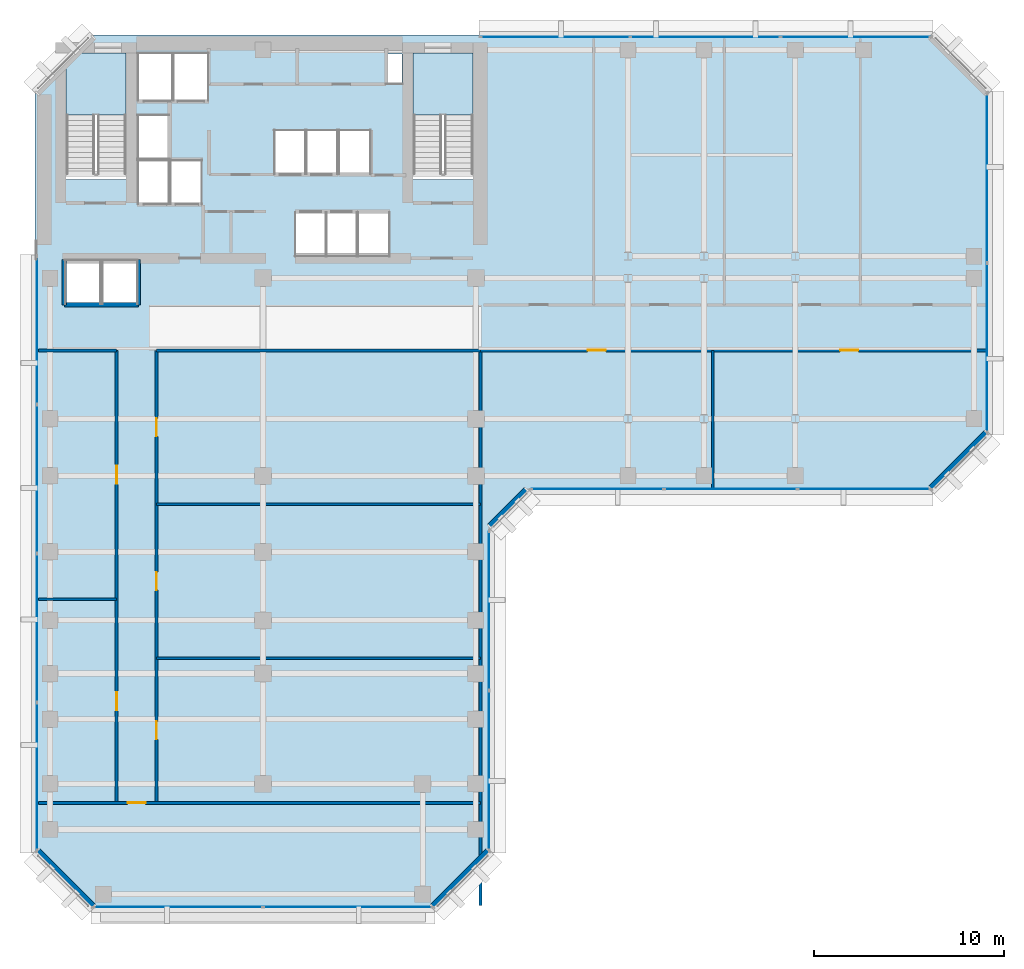
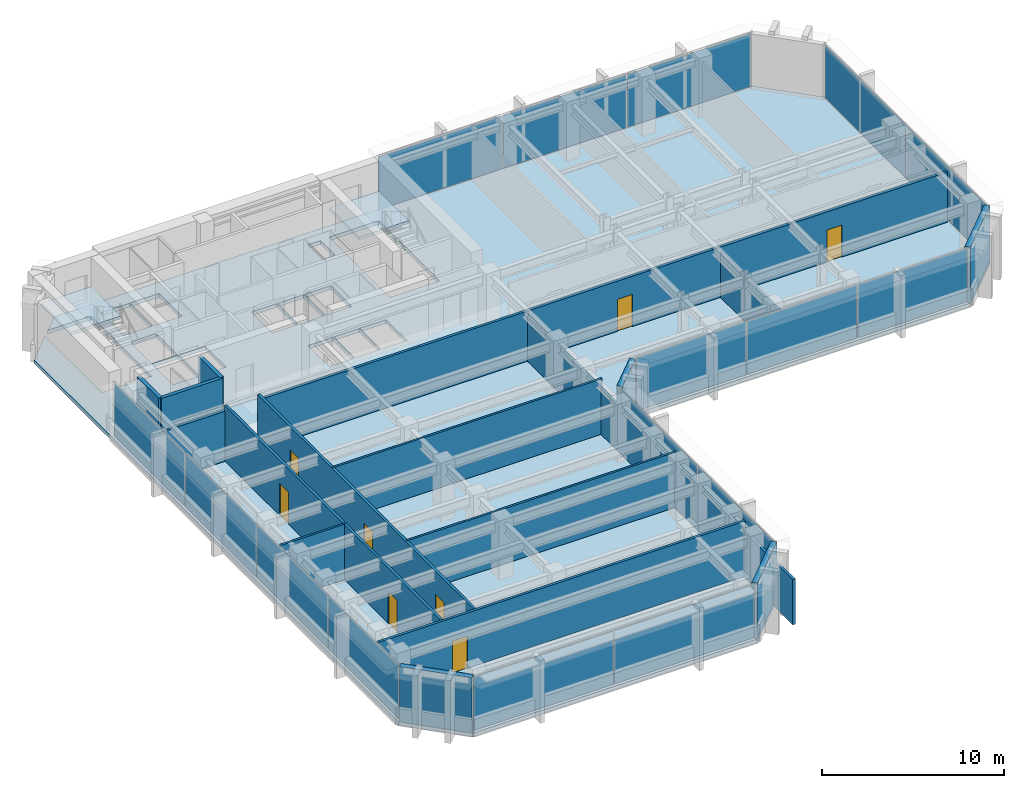
# One storey, part 6 of 11: 18 walls, 16 plates, 8 doors, 3 slabs, 8 openings, 8 elements without a shape of their own.
"""IFC4 building model written with IfcOpenShell, lengths in metres."""

from ifc_helpers import new_model, si_unit, direction, frame, frame_2d, origin, origin_2d, place, context, subcontext, project, spatial, polyline, rectangle, outline, extrude, material, layer, layer_set, type_object, element, fill, aggregate, save


model = new_model("IFC4")

# Units and contexts
model_context = context("Model", 3, precision=1e-05, world=origin(), true_north=direction((0.0, 1.0)))
body_context = subcontext(model_context, "Body", "Model", "MODEL_VIEW")
ifc_project = project(units=[si_unit("LENGTHUNIT", "METRE"), si_unit("AREAUNIT", "SQUARE_METRE"), si_unit("VOLUMEUNIT", "CUBIC_METRE"), si_unit("PLANEANGLEUNIT", "RADIAN"), si_unit("MASSUNIT", "GRAM", prefix="KILO")], contexts=[model_context])

# Site, building, storey
site_placement = place(None, origin())
site = spatial("IfcSite", under=ifc_project, at=site_placement, CompositionType="ELEMENT")
building_placement = place(site_placement, origin())
building = spatial("IfcBuilding", under=site, at=building_placement, Name="Kefirva Bronze Tower", CompositionType="ELEMENT")
storey_placement = place(building_placement, frame((0.0, 0.0, 138.929931640625)))
storey = spatial("IfcBuildingStorey", under=building, at=storey_placement, Name="L33", CompositionType="ELEMENT", Elevation=138.929931640625)

# Stair, slab
ifc_material_1 = material(Name="Concrete C40/50", Category="concrete")
stair_type = type_object("IfcStairType", Name="RC Dogleg Protected Stair 24R", PredefinedType="HALF_TURN_STAIR", material=ifc_material_1)
stair_1_placement = place(storey_placement, origin())
stair_1 = element("IfcStair", 1, at=stair_1_placement, inside=storey, type_object=stair_type, Name="L33 Protected Exit Stair 1", PredefinedType="HALF_TURN_STAIR")
ifc_layer_1 = layer(ifc_material_1, 0.199951171875, Name="Concrete C40/50")
ifc_layer_set_1 = layer_set([ifc_layer_1], Name="Concrete C40/50")
slab_type_1 = type_object("IfcSlabType", Name="RC Stair Landing Slab 200mm", PredefinedType="LANDING", material=ifc_layer_set_1)
slab_1_placement = place(storey_placement, frame((0.0, 0.0, 1.780029296875)))
slab_1 = element("IfcSlab", 2, at=slab_1_placement, type_object=slab_type_1, Name="ST-1 landing 1", PredefinedType="LANDING", context=body_context, shape_type="SweptSolid", body=[
    extrude(outline(polyline([(4.800048828125, 41.780029296875), (4.800048828125, 45.050048828125), (1.64990234375, 45.050048828125), (1.64990234375, 41.780029296875), (4.800048828125, 41.780029296875)])), origin(), (0.0, 0.0, 1.0), 0.199951171875),
])
aggregate(stair_1, [slab_1])

stair_2_placement = place(storey_placement, origin())
stair_2 = element("IfcStair", 3, at=stair_2_placement, inside=storey, type_object=stair_type, Name="L33 Protected Exit Stair 2", PredefinedType="HALF_TURN_STAIR")
slab_2_placement = place(storey_placement, frame((0.0, 0.0, 1.780029296875)))
slab_2 = element("IfcSlab", 4, at=slab_2_placement, type_object=slab_type_1, Name="ST-2 landing 1", PredefinedType="LANDING", context=body_context, shape_type="SweptSolid", body=[
    extrude(outline(polyline([(23.050048828125, 41.780029296875), (23.050048828125, 45.050048828125), (19.89990234375, 45.050048828125), (19.89990234375, 41.780029296875), (23.050048828125, 41.780029296875)])), origin(), (0.0, 0.0, 1.0), 0.199951171875),
])
aggregate(stair_2, [slab_2])

# Slab
ifc_layer_2 = layer(ifc_material_1, 0.25, Name="Concrete C40/50")
ifc_layer_set_2 = layer_set([ifc_layer_2], Name="Concrete C40/50")
slab_type_2 = type_object("IfcSlabType", Name="RC Tower Floor Slab 250mm", PredefinedType="FLOOR", material=ifc_layer_set_2)
slab_3_placement = place(storey_placement, frame((0.0, 0.0, -0.25)))
element("IfcSlab", 5, at=slab_3_placement, inside=storey, type_object=slab_type_2, Name="L33 Structural Floor Slab", PredefinedType="FLOOR", context=body_context, shape_type="SweptSolid", body=[
    extrude(outline(polyline([(0.0, 3.0), (0.0, 43.0), (1.64990234375, 44.64990234375), (1.64990234375, 38.39990234375), (4.800048828125, 38.39990234375), (4.800048828125, 45.050048828125), (2.050048828125, 45.050048828125), (3.0, 46.0), (47.199951171875, 46.0), (50.199951171875, 43.0), (50.199951171875, 25.0), (47.199951171875, 22.0), (26.0, 22.0), (24.0, 20.0), (24.0, 3.0), (21.0, 0.0), (3.0, 0.0), (0.0, 3.0)]), holes=[polyline([(23.050048828125, 38.39990234375), (23.050048828125, 45.050048828125), (19.89990234375, 45.050048828125), (19.89990234375, 38.39990234375), (23.050048828125, 38.39990234375)]), polyline([(19.320068359375, 43.419921875), (19.320068359375, 45.0), (18.52001953125, 45.0), (18.52001953125, 43.419921875), (19.320068359375, 43.419921875)]), polyline([(18.64990234375, 34.35009765625), (18.64990234375, 36.64990234375), (17.0, 36.64990234375), (17.0, 34.35009765625), (18.64990234375, 34.35009765625)]), polyline([(17.64990234375, 38.679931640625), (17.64990234375, 40.97998046875), (16.0, 40.97998046875), (16.0, 38.679931640625), (17.64990234375, 38.679931640625)]), polyline([(16.949951171875, 34.35009765625), (16.949951171875, 36.64990234375), (15.35009765625, 36.64990234375), (15.35009765625, 34.35009765625), (16.949951171875, 34.35009765625)]), polyline([(15.929931640625, 38.679931640625), (15.929931640625, 40.97998046875), (14.300048828125, 40.97998046875), (14.300048828125, 38.679931640625), (15.929931640625, 38.679931640625)]), polyline([(15.300048828125, 34.35009765625), (15.300048828125, 36.64990234375), (13.699951171875, 36.64990234375), (13.699951171875, 34.35009765625), (15.300048828125, 34.35009765625)]), polyline([(14.22998046875, 38.679931640625), (14.22998046875, 40.97998046875), (12.60009765625, 40.97998046875), (12.60009765625, 38.679931640625), (14.22998046875, 38.679931640625)]), polyline([(9.1201171875, 42.550048828125), (9.1201171875, 45.050048828125), (7.300048828125, 45.050048828125), (7.300048828125, 42.550048828125), (9.1201171875, 42.550048828125)]), polyline([(8.780029296875, 37.10009765625), (8.780029296875, 39.39990234375), (7.139892578125, 39.39990234375), (7.139892578125, 37.10009765625), (8.780029296875, 37.10009765625)]), polyline([(7.239990234375, 42.550048828125), (7.239990234375, 45.050048828125), (5.419921875, 45.050048828125), (5.419921875, 42.550048828125), (7.239990234375, 42.550048828125)]), polyline([(7.06005859375, 37.10009765625), (7.06005859375, 39.39990234375), (5.419921875, 39.39990234375), (5.419921875, 37.10009765625), (7.06005859375, 37.10009765625)]), polyline([(7.06005859375, 39.47998046875), (7.06005859375, 41.780029296875), (5.419921875, 41.780029296875), (5.419921875, 39.47998046875), (7.06005859375, 39.47998046875)]), polyline([(5.39990234375, 31.85009765625), (5.39990234375, 34.14990234375), (3.550048828125, 34.14990234375), (3.550048828125, 31.85009765625), (5.39990234375, 31.85009765625)]), polyline([(3.449951171875, 31.85009765625), (3.449951171875, 34.14990234375), (1.60009765625, 34.14990234375), (1.60009765625, 31.85009765625), (3.449951171875, 31.85009765625)])]), origin(), (0.0, 0.0, 1.0), 0.25),
])

# Curtain wall, plates
ifc_material_2 = material(Name="Bronze anodised aluminium", Category="aluminium")
ifc_layer_3 = layer(ifc_material_2, 0.199951171875, Name="Bronze anodised aluminium")
ifc_layer_set_3 = layer_set([ifc_layer_3], Name="Bronze anodised aluminium")
curtain_wall_type = type_object("IfcCurtainWallType", Name="Unitised Bronze Ribbon Curtain Wall Zone 2", PredefinedType="USERDEFINED", material=ifc_layer_set_3)
curtain_wall_1_placement = place(storey_placement, origin())
curtain_wall_1 = element("IfcCurtainWall", 6, at=curtain_wall_1_placement, inside=storey, type_object=curtain_wall_type, Name="L33 Curtain Wall 1", ObjectType="UNITISED CURTAIN WALL", PredefinedType="USERDEFINED")
ifc_material_3 = material(Name="Laminated low-E double glazing", Category="glass")
ifc_layer_4 = layer(ifc_material_3, 0.031982421875, Name="Laminated low-E double glazing")
ifc_layer_set_4 = layer_set([ifc_layer_4], Name="Laminated low-E double glazing")
plate_type = type_object("IfcPlateType", Name="Solar-Control Low-E Vision Panel 32mm", PredefinedType="CURTAIN_PANEL", material=ifc_layer_set_4)
plate_1_placement = place(storey_placement, frame((7.546142578125, 0.1201171875, 0.074951171875), z_axis=(0.0, 0.0, 1.0), x_axis=(1.0, 0.0, 0.0)))
plate_1 = element("IfcPlate", 7, at=plate_1_placement, type_object=plate_type, Name="CW-02 panel 1.1", PredefinedType="CURTAIN_PANEL", context=body_context, shape_type="SweptSolid", body=[
    extrude(rectangle(XDim=8.83251953125, YDim=0.031982421875, at=origin_2d()), origin(), (0.0, 0.0, 1.0), 3.56005859375),
])
plate_2_placement = place(storey_placement, frame((16.453857421875, 0.1201171875, 0.074951171875), z_axis=(0.0, 0.0, 1.0), x_axis=(1.0, 0.0, 0.0)))
plate_2 = element("IfcPlate", 8, at=plate_2_placement, type_object=plate_type, Name="CW-02 panel 2.1", PredefinedType="CURTAIN_PANEL", context=body_context, shape_type="SweptSolid", body=[
    extrude(rectangle(XDim=8.83251953125, YDim=0.031982421875, at=origin_2d()), origin(), (0.0, 0.0, 1.0), 3.56005859375),
])
aggregate(curtain_wall_1, [plate_1, plate_2])

curtain_wall_2_placement = place(storey_placement, origin())
curtain_wall_2 = element("IfcCurtainWall", 9, at=curtain_wall_2_placement, inside=storey, type_object=curtain_wall_type, Name="L33 Curtain Wall 2", ObjectType="UNITISED CURTAIN WALL", PredefinedType="USERDEFINED")
plate_3_placement = place(storey_placement, frame((23.8798828125, 7.296142578125, 0.074951171875), z_axis=(0.0, 0.0, 1.0), x_axis=(0.0, 1.0, 0.0)))
plate_3 = element("IfcPlate", 10, at=plate_3_placement, type_object=plate_type, Name="CW-02 panel 1.1", PredefinedType="CURTAIN_PANEL", context=body_context, shape_type="SweptSolid", body=[
    extrude(rectangle(XDim=8.33251953125, YDim=0.031982421875, at=origin_2d()), origin(), (0.0, 0.0, 1.0), 3.56005859375),
])
plate_4_placement = place(storey_placement, frame((23.8798828125, 15.703857421875, 0.074951171875), z_axis=(0.0, 0.0, 1.0), x_axis=(0.0, 1.0, 0.0)))
plate_4 = element("IfcPlate", 11, at=plate_4_placement, type_object=plate_type, Name="CW-02 panel 2.1", PredefinedType="CURTAIN_PANEL", context=body_context, shape_type="SweptSolid", body=[
    extrude(rectangle(XDim=8.33251953125, YDim=0.031982421875, at=origin_2d()), origin(), (0.0, 0.0, 1.0), 3.56005859375),
])
aggregate(curtain_wall_2, [plate_3, plate_4])

curtain_wall_3_placement = place(storey_placement, origin())
curtain_wall_3 = element("IfcCurtainWall", 12, at=curtain_wall_3_placement, inside=storey, type_object=curtain_wall_type, Name="L33 Curtain Wall 3", ObjectType="UNITISED CURTAIN WALL", PredefinedType="USERDEFINED")
plate_5_placement = place(storey_placement, frame((29.5888671875, 22.1201171875, 0.074951171875), z_axis=(0.0, 0.0, 1.0), x_axis=(1.0, 0.0, 0.0)))
plate_5 = element("IfcPlate", 13, at=plate_5_placement, type_object=plate_type, Name="CW-02 panel 1.1", PredefinedType="CURTAIN_PANEL", context=body_context, shape_type="SweptSolid", body=[
    extrude(rectangle(XDim=6.91748046875, YDim=0.031982421875, at=origin_2d()), origin(), (0.0, 0.0, 1.0), 3.56005859375),
])
plate_6_placement = place(storey_placement, frame((36.60009765625, 22.1201171875, 0.074951171875), z_axis=(0.0, 0.0, 1.0), x_axis=(1.0, 0.0, 0.0)))
plate_6 = element("IfcPlate", 14, at=plate_6_placement, type_object=plate_type, Name="CW-02 panel 2.1", PredefinedType="CURTAIN_PANEL", context=body_context, shape_type="SweptSolid", body=[
    extrude(rectangle(XDim=6.955078125, YDim=0.031982421875, at=origin_2d()), origin(), (0.0, 0.0, 1.0), 3.56005859375),
])
plate_7_placement = place(storey_placement, frame((43.611328125, 22.1201171875, 0.074951171875), z_axis=(0.0, 0.0, 1.0), x_axis=(1.0, 0.0, 0.0)))
plate_7 = element("IfcPlate", 15, at=plate_7_placement, type_object=plate_type, Name="CW-02 panel 3.1", PredefinedType="CURTAIN_PANEL", context=body_context, shape_type="SweptSolid", body=[
    extrude(rectangle(XDim=6.91748046875, YDim=0.031982421875, at=origin_2d()), origin(), (0.0, 0.0, 1.0), 3.56005859375),
])
aggregate(curtain_wall_3, [plate_5, plate_6, plate_7])

curtain_wall_4_placement = place(storey_placement, origin())
curtain_wall_4 = element("IfcCurtainWall", 16, at=curtain_wall_4_placement, inside=storey, type_object=curtain_wall_type, Name="L33 Curtain Wall 4", ObjectType="UNITISED CURTAIN WALL", PredefinedType="USERDEFINED")
plate_8_placement = place(storey_placement, frame((50.080078125, 29.546142578125, 0.074951171875), z_axis=(0.0, 0.0, 1.0), x_axis=(0.0, 1.0, 0.0)))
plate_8 = element("IfcPlate", 17, at=plate_8_placement, type_object=plate_type, Name="CW-02 panel 1.1", PredefinedType="CURTAIN_PANEL", context=body_context, shape_type="SweptSolid", body=[
    extrude(rectangle(XDim=8.83251953125, YDim=0.031982421875, at=origin_2d()), origin(), (0.0, 0.0, 1.0), 3.56005859375),
])
plate_9_placement = place(storey_placement, frame((50.080078125, 38.453857421875, 0.074951171875), z_axis=(0.0, 0.0, 1.0), x_axis=(0.0, 1.0, 0.0)))
plate_9 = element("IfcPlate", 18, at=plate_9_placement, type_object=plate_type, Name="CW-02 panel 2.1", PredefinedType="CURTAIN_PANEL", context=body_context, shape_type="SweptSolid", body=[
    extrude(rectangle(XDim=8.83251953125, YDim=0.031982421875, at=origin_2d()), origin(), (0.0, 0.0, 1.0), 3.56005859375),
])
aggregate(curtain_wall_4, [plate_8, plate_9])

curtain_wall_5_placement = place(storey_placement, origin())
curtain_wall_5 = element("IfcCurtainWall", 19, at=curtain_wall_5_placement, inside=storey, type_object=curtain_wall_type, Name="L33 Curtain Wall 5", ObjectType="UNITISED CURTAIN WALL", PredefinedType="USERDEFINED")
plate_10_placement = place(storey_placement, frame((43.169677734375, 45.8798828125, 0.074951171875), z_axis=(0.0, 0.0, 1.0), x_axis=(-1.0, 0.0, 0.0)))
plate_10 = element("IfcPlate", 20, at=plate_10_placement, type_object=plate_type, Name="CW-02 panel 1.1", PredefinedType="CURTAIN_PANEL", context=body_context, shape_type="SweptSolid", body=[
    extrude(rectangle(XDim=7.80078125, YDim=0.031982421875, at=origin_2d()), origin(), (0.0, 0.0, 1.0), 3.56005859375),
])
plate_11_placement = place(storey_placement, frame((35.27490234375, 45.8798828125, 0.074951171875), z_axis=(0.0, 0.0, 1.0), x_axis=(-1.0, 0.0, 0.0)))
plate_11 = element("IfcPlate", 21, at=plate_11_placement, type_object=plate_type, Name="CW-02 panel 2.1", PredefinedType="CURTAIN_PANEL", context=body_context, shape_type="SweptSolid", body=[
    extrude(rectangle(XDim=7.83837890625, YDim=0.031982421875, at=origin_2d()), origin(), (0.0, 0.0, 1.0), 3.56005859375),
])
plate_12_placement = place(storey_placement, frame((27.38037109375, 45.8798828125, 0.074951171875), z_axis=(0.0, 0.0, 1.0), x_axis=(-1.0, 0.0, 0.0)))
plate_12 = element("IfcPlate", 22, at=plate_12_placement, type_object=plate_type, Name="CW-02 panel 3.1", PredefinedType="CURTAIN_PANEL", context=body_context, shape_type="SweptSolid", body=[
    extrude(rectangle(XDim=7.80078125, YDim=0.031982421875, at=origin_2d()), origin(), (0.0, 0.0, 1.0), 3.56005859375),
])
aggregate(curtain_wall_5, [plate_10, plate_11, plate_12])

curtain_wall_6_placement = place(storey_placement, origin())
curtain_wall_6 = element("IfcCurtainWall", 23, at=curtain_wall_6_placement, inside=storey, type_object=curtain_wall_type, Name="L33 Curtain Wall 6", ObjectType="UNITISED CURTAIN WALL", PredefinedType="USERDEFINED")
plate_13_placement = place(storey_placement, frame((0.1201171875, 30.458740234375, 0.074951171875), z_axis=(0.0, 0.0, 1.0), x_axis=(0.0, -1.0, 0.0)))
plate_13 = element("IfcPlate", 24, at=plate_13_placement, type_object=plate_type, Name="CW-02 panel 1.1", PredefinedType="CURTAIN_PANEL", context=body_context, shape_type="SweptSolid", body=[
    extrude(rectangle(XDim=7.722412109375, YDim=0.031982421875, at=origin_2d()), origin(), (0.0, 0.0, 1.0), 3.56005859375),
])
plate_14_placement = place(storey_placement, frame((0.1201171875, 22.642578125, 0.074951171875), z_axis=(0.0, 0.0, 1.0), x_axis=(0.0, -1.0, 0.0)))
plate_14 = element("IfcPlate", 25, at=plate_14_placement, type_object=plate_type, Name="CW-02 panel 2.1", PredefinedType="CURTAIN_PANEL", context=body_context, shape_type="SweptSolid", body=[
    extrude(rectangle(XDim=7.760009765625, YDim=0.031982421875, at=origin_2d()), origin(), (0.0, 0.0, 1.0), 3.56005859375),
])
plate_15_placement = place(storey_placement, frame((0.1201171875, 14.8076171875, 0.074951171875), z_axis=(0.0, 0.0, 1.0), x_axis=(0.0, -1.0, 0.0)))
plate_15 = element("IfcPlate", 26, at=plate_15_placement, type_object=plate_type, Name="CW-02 panel 3.1", PredefinedType="CURTAIN_PANEL", context=body_context, shape_type="SweptSolid", body=[
    extrude(rectangle(XDim=7.760009765625, YDim=0.031982421875, at=origin_2d()), origin(), (0.0, 0.0, 1.0), 3.56005859375),
])
plate_16_placement = place(storey_placement, frame((0.1201171875, 6.9912109375, 0.074951171875), z_axis=(0.0, 0.0, 1.0), x_axis=(0.0, -1.0, 0.0)))
plate_16 = element("IfcPlate", 27, at=plate_16_placement, type_object=plate_type, Name="CW-02 panel 4.1", PredefinedType="CURTAIN_PANEL", context=body_context, shape_type="SweptSolid", body=[
    extrude(rectangle(XDim=7.722412109375, YDim=0.031982421875, at=origin_2d()), origin(), (0.0, 0.0, 1.0), 3.56005859375),
])
aggregate(curtain_wall_6, [plate_13, plate_14, plate_15, plate_16])

# Walls
ifc_material_4 = material(Name="Gypsum acoustic partition")
ifc_layer_5 = layer(ifc_material_4, 0.1298828125, Name="Gypsum acoustic partition")
ifc_layer_set_5 = layer_set([ifc_layer_5], Name="Gypsum acoustic partition")
wall_type_1 = type_object("IfcWallType", Name="Acoustic Office Partition 130mm", PredefinedType="PARTITIONING", material=ifc_layer_set_5)
wall_1_placement = place(storey_placement, frame((0.18994140625, 16.31005859375, 0.0), z_axis=(0.0, 0.0, 1.0), x_axis=(1.0, 0.0, 0.0)))
element("IfcWall", 28, at=wall_1_placement, inside=storey, type_object=wall_type_1, Name="L33 Partition W-L33-SWD1", PredefinedType="PARTITIONING", context=body_context, shape_type="SweptSolid", body=[
    extrude(rectangle(XDim=4.110107421875, YDim=0.1298828125, at=frame_2d((2.05517578125, 0.0))), origin(), (0.0, 0.0, 1.0), 3.7099609375),
])
for number, where, z_axis, x_axis, name in (
    (29, (6.39990234375, 13.216064453125, 0.0), (0.0, 0.0, 1.0), (1.0, 0.0, 0.0), "L33 Partition W-L33-SED1"),
    (30, (6.39990234375, 21.30810546875, 0.0), (0.0, 0.0, 1.0), (1.0, 0.0, 0.0), "L33 Partition W-L33-SED2"),
):
    element("IfcWall", number, at=place(storey_placement, frame(where, z_axis=z_axis, x_axis=x_axis)), inside=storey, type_object=wall_type_1, Name=name, PredefinedType="PARTITIONING", context=body_context, shape_type="SweptSolid", body=[
        extrude(rectangle(XDim=17.050048828125, YDim=0.1298828125, at=frame_2d((8.52490234375, 0.0))), origin(), (0.0, 0.0, 1.0), 3.7099609375),
    ])
wall_2_placement = place(storey_placement, frame((35.66748046875, 22.18994140625, 0.0), z_axis=(0.0, 0.0, 1.0), x_axis=(0.0, 1.0, 0.0)))
element("IfcWall", 31, at=wall_2_placement, inside=storey, type_object=wall_type_1, Name="L33 Partition W-L33-ESD1", PredefinedType="PARTITIONING", context=body_context, shape_type="SweptSolid", body=[
    extrude(rectangle(XDim=7.2099609375, YDim=0.1298828125, at=frame_2d((3.60498046875, 0.0))), origin(), (0.0, 0.0, 1.0), 3.045166015625),
])
ifc_material_5 = material(Name="Gypsum fireboard shaftwall")
ifc_layer_6 = layer(ifc_material_5, 0.219970703125, Name="Gypsum fireboard shaftwall")
ifc_layer_set_6 = layer_set([ifc_layer_6], Name="Gypsum fireboard shaftwall")
wall_type_2 = type_object("IfcWallType", Name="Fire-Rated Shaft Enclosure Wall 220mm", PredefinedType="PARTITIONING", material=ifc_layer_set_6)
wall_3_placement = place(storey_placement, frame((1.550048828125, 31.800048828125, 0.0), z_axis=(0.0, 0.0, 1.0), x_axis=(1.0, 0.0, 0.0)))
element("IfcWall", 32, at=wall_3_placement, inside=storey, type_object=wall_type_2, Name="L33 Partition W-L33-OBS", PredefinedType="PARTITIONING", context=body_context, shape_type="SweptSolid", body=[
    extrude(rectangle(XDim=3.89990234375, YDim=0.219970703125, at=frame_2d((1.949951171875, 0.0))), origin(), (0.0, 0.0, 1.0), 3.7099609375),
])
for number, where, z_axis, x_axis, name in (
    (33, (1.550048828125, 31.800048828125, 0.0), (0.0, 0.0, 1.0), (0.0, 1.0, 0.0), "L33 Partition W-L33-OBW"),
    (34, (5.449951171875, 31.800048828125, 0.0), (0.0, 0.0, 1.0), (0.0, 1.0, 0.0), "L33 Partition W-L33-OBE"),
):
    element("IfcWall", number, at=place(storey_placement, frame(where, z_axis=z_axis, x_axis=x_axis)), inside=storey, type_object=wall_type_2, Name=name, PredefinedType="PARTITIONING", context=body_context, shape_type="SweptSolid", body=[
        extrude(rectangle(XDim=2.3798828125, YDim=0.219970703125, at=frame_2d((1.18994140625, 0.0))), origin(), (0.0, 0.0, 1.0), 3.7099609375),
    ])
ifc_material_6 = material(Name="Precast concrete C40/50", Category="concrete")
ifc_layer_7 = layer(ifc_material_6, 0.320068359375, Name="Precast concrete C40/50")
ifc_layer_set_7 = layer_set([ifc_layer_7], Name="Precast concrete C40/50")
wall_type_3 = type_object("IfcWallType", Name="Precast Insulated Exterior Wall 320mm", PredefinedType="SOLIDWALL", material=ifc_layer_set_7)
wall_4_placement = place(storey_placement, frame((20.92578125, 0.152099609375, 0.0), z_axis=(0.0, 0.0, 1.0), x_axis=(0.707106781187, 0.707106781187, 0.0)))
element("IfcWall", 35, at=wall_4_placement, inside=storey, type_object=wall_type_3, Name="L33 Exterior Facade Wall 1", PredefinedType="SOLIDWALL", context=body_context, shape_type="SweptSolid", body=[
    extrude(rectangle(XDim=4.132568359375, YDim=0.320068359375, at=frame_2d((2.06640625, 0.0))), origin(), (0.0, 0.0, 1.0), 3.7099609375),
])
wall_5_placement = place(storey_placement, frame((23.92578125, 20.152099609375, 0.0), z_axis=(0.0, 0.0, 1.0), x_axis=(0.707106781187, 0.707106781187, 0.0)))
element("IfcWall", 36, at=wall_5_placement, inside=storey, type_object=wall_type_3, Name="L33 Exterior Facade Wall 2", PredefinedType="SOLIDWALL", context=body_context, shape_type="SweptSolid", body=[
    extrude(rectangle(XDim=2.71826171875, YDim=0.320068359375, at=frame_2d((1.359130859375, 0.0))), origin(), (0.0, 0.0, 1.0), 3.7099609375),
])
for number, where, z_axis, x_axis, name in (
    (37, (47.125732421875, 22.152099609375, 0.0), (0.0, 0.0, 1.0), (0.707136318428, 0.707077242712, 0.0), "L33 Exterior Facade Wall 3"),
    (38, (0.152099609375, 3.07421875, 0.0), (0.0, 0.0, 1.0), (0.707106781187, -0.707106781187, 0.0), "L33 Exterior Facade Wall 6"),
):
    element("IfcWall", number, at=place(storey_placement, frame(where, z_axis=z_axis, x_axis=x_axis)), inside=storey, type_object=wall_type_3, Name=name, PredefinedType="SOLIDWALL", context=body_context, shape_type="SweptSolid", body=[
        extrude(rectangle(XDim=4.132568359375, YDim=0.320068359375, at=frame_2d((2.06640625, 0.0))), origin(), (0.0, 0.0, 1.0), 3.7099609375),
    ])

# Wall, openings, doors
ifc_layer_8 = layer(ifc_material_4, 0.159912109375, Name="Gypsum acoustic partition")
ifc_layer_set_8 = layer_set([ifc_layer_8], Name="Gypsum acoustic partition")
wall_type_4 = type_object("IfcWallType", Name="Protected Corridor Partition 160mm", PredefinedType="PARTITIONING", material=ifc_layer_set_8)
wall_6_placement = place(storey_placement, frame((4.300048828125, 5.60009765625, 0.0), z_axis=(0.0, 0.0, 1.0), x_axis=(0.0, 1.0, 0.0)))
wall_6 = element("IfcWall", 39, at=wall_6_placement, inside=storey, type_object=wall_type_4, Name="L33 Partition W-L33-SWCORW", PredefinedType="PARTITIONING", context=body_context, shape_type="SweptSolid", body=[
    extrude(rectangle(XDim=23.7998046875, YDim=0.159912109375, at=frame_2d((11.89990234375, 0.0))), origin(), (0.0, 0.0, 1.0), 3.7099609375),
])
opening_1_placement = place(wall_6_placement, frame((5.829833984375, 0.0, 0.0), z_axis=(0.0, 0.0, 1.0), x_axis=(-1.0, 0.0, 0.0)))
opening_1 = element("IfcOpeningElement", 40, at=opening_1_placement, cuts=wall_6, Name="Opening L33-D-SW1", PredefinedType="OPENING", context=body_context, shape_type="SweptSolid", body=[
    extrude(rectangle(XDim=0.949951171875, YDim=2.14990234375, at=frame_2d((0.47509765625, 1.074951171875))), frame((0.0, 0.08984375, 0.0), z_axis=(0.0, -1.0, 0.0), x_axis=(1.0, 0.0, 0.0)), (0.0, 0.0, 1.0), 0.179931640625),
])
opening_2_placement = place(wall_6_placement, frame((17.72998046875, 0.0, 0.0), z_axis=(0.0, 0.0, 1.0), x_axis=(-1.0, 0.0, 0.0)))
opening_2 = element("IfcOpeningElement", 41, at=opening_2_placement, cuts=wall_6, Name="Opening L33-D-SW2", PredefinedType="OPENING", context=body_context, shape_type="SweptSolid", body=[
    extrude(rectangle(XDim=0.949951171875, YDim=2.14990234375, at=frame_2d((0.47509765625, 1.074951171875))), frame((0.0, 0.08984375, 0.0), z_axis=(0.0, -1.0, 0.0), x_axis=(1.0, 0.0, 0.0)), (0.0, 0.0, 1.0), 0.179931640625),
])
ifc_material_7 = material(Name="Acoustic hardwood oak", Category="wood")
door_type = type_object("IfcDoorType", Name="Office & Meeting Room Door 950x2150", OperationType="NOTDEFINED", PredefinedType="DOOR", material=ifc_material_7)
door_1_placement = place(opening_1_placement, origin())
door_1 = element("IfcDoor", 42, at=door_1_placement, inside=storey, type_object=door_type, Name="Door L33-D-SW1", OperationType="SINGLE_SWING_RIGHT", OverallHeight=2.14990234375, OverallWidth=0.949951171875, PredefinedType="DOOR", context=body_context, shape_type="SweptSolid", body=[
    extrude(rectangle(XDim=0.949951171875, YDim=2.14990234375, at=frame_2d((0.47509765625, 1.074951171875))), frame((0.0, 0.02490234375, 0.0), z_axis=(0.0, -1.0, 0.0), x_axis=(1.0, 0.0, 0.0)), (0.0, 0.0, 1.0), 0.050048828125),
])
fill(opening_1, door_1)
door_2_placement = place(opening_2_placement, origin())
door_2 = element("IfcDoor", 43, at=door_2_placement, inside=storey, type_object=door_type, Name="Door L33-D-SW2", OperationType="SINGLE_SWING_LEFT", OverallHeight=2.14990234375, OverallWidth=0.949951171875, PredefinedType="DOOR", context=body_context, shape_type="SweptSolid", body=[
    extrude(rectangle(XDim=0.949951171875, YDim=2.14990234375, at=frame_2d((0.47509765625, 1.074951171875))), frame((0.0, 0.02490234375, 0.0), z_axis=(0.0, -1.0, 0.0), x_axis=(1.0, 0.0, 0.0)), (0.0, 0.0, 1.0), 0.050048828125),
])
fill(opening_2, door_2)

wall_7_placement = place(storey_placement, frame((6.39990234375, 5.60009765625, 0.0), z_axis=(0.0, 0.0, 1.0), x_axis=(0.0, 1.0, 0.0)))
wall_7 = element("IfcWall", 44, at=wall_7_placement, inside=storey, type_object=wall_type_4, Name="L33 Partition W-L33-SECORE", PredefinedType="PARTITIONING", context=body_context, shape_type="SweptSolid", body=[
    extrude(rectangle(XDim=23.7998046875, YDim=0.159912109375, at=frame_2d((11.89990234375, 0.0))), origin(), (0.0, 0.0, 1.0), 3.7099609375),
])
opening_3_placement = place(wall_7_placement, frame((3.3330078125, 0.0, 0.0)))
opening_3 = element("IfcOpeningElement", 45, at=opening_3_placement, cuts=wall_7, Name="Opening L33-D-SE1", PredefinedType="OPENING", context=body_context, shape_type="SweptSolid", body=[
    extrude(rectangle(XDim=0.949951171875, YDim=2.14990234375, at=frame_2d((0.47509765625, 1.074951171875))), frame((0.0, 0.08984375, 0.0), z_axis=(0.0, -1.0, 0.0), x_axis=(1.0, 0.0, 0.0)), (0.0, 0.0, 1.0), 0.179931640625),
])
opening_4_placement = place(wall_7_placement, frame((11.18701171875, 0.0, 0.0)))
opening_4 = element("IfcOpeningElement", 46, at=opening_4_placement, cuts=wall_7, Name="Opening L33-D-SE2", PredefinedType="OPENING", context=body_context, shape_type="SweptSolid", body=[
    extrude(rectangle(XDim=0.949951171875, YDim=2.14990234375, at=frame_2d((0.47509765625, 1.074951171875))), frame((0.0, 0.08984375, 0.0), z_axis=(0.0, -1.0, 0.0), x_axis=(1.0, 0.0, 0.0)), (0.0, 0.0, 1.0), 0.179931640625),
])
opening_5_placement = place(wall_7_placement, frame((19.279052734375, 0.0, 0.0)))
opening_5 = element("IfcOpeningElement", 47, at=opening_5_placement, cuts=wall_7, Name="Opening L33-D-SE3", PredefinedType="OPENING", context=body_context, shape_type="SweptSolid", body=[
    extrude(rectangle(XDim=0.949951171875, YDim=2.14990234375, at=frame_2d((0.47509765625, 1.074951171875))), frame((0.0, 0.08984375, 0.0), z_axis=(0.0, -1.0, 0.0), x_axis=(1.0, 0.0, 0.0)), (0.0, 0.0, 1.0), 0.179931640625),
])
door_3_placement = place(opening_3_placement, origin())
door_3 = element("IfcDoor", 48, at=door_3_placement, inside=storey, type_object=door_type, Name="Door L33-D-SE1", OperationType="SINGLE_SWING_RIGHT", OverallHeight=2.14990234375, OverallWidth=0.949951171875, PredefinedType="DOOR", context=body_context, shape_type="SweptSolid", body=[
    extrude(rectangle(XDim=0.949951171875, YDim=2.14990234375, at=frame_2d((0.47509765625, 1.074951171875))), frame((0.0, 0.02490234375, 0.0), z_axis=(0.0, -1.0, 0.0), x_axis=(1.0, 0.0, 0.0)), (0.0, 0.0, 1.0), 0.050048828125),
])
fill(opening_3, door_3)
door_4_placement = place(opening_4_placement, origin())
door_4 = element("IfcDoor", 49, at=door_4_placement, inside=storey, type_object=door_type, Name="Door L33-D-SE2", OperationType="SINGLE_SWING_LEFT", OverallHeight=2.14990234375, OverallWidth=0.949951171875, PredefinedType="DOOR", context=body_context, shape_type="SweptSolid", body=[
    extrude(rectangle(XDim=0.949951171875, YDim=2.14990234375, at=frame_2d((0.47509765625, 1.074951171875))), frame((0.0, 0.02490234375, 0.0), z_axis=(0.0, -1.0, 0.0), x_axis=(1.0, 0.0, 0.0)), (0.0, 0.0, 1.0), 0.050048828125),
])
fill(opening_4, door_4)
door_5_placement = place(opening_5_placement, origin())
door_5 = element("IfcDoor", 50, at=door_5_placement, inside=storey, type_object=door_type, Name="Door L33-D-SE3", OperationType="SINGLE_SWING_RIGHT", OverallHeight=2.14990234375, OverallWidth=0.949951171875, PredefinedType="DOOR", context=body_context, shape_type="SweptSolid", body=[
    extrude(rectangle(XDim=0.949951171875, YDim=2.14990234375, at=frame_2d((0.47509765625, 1.074951171875))), frame((0.0, 0.02490234375, 0.0), z_axis=(0.0, -1.0, 0.0), x_axis=(1.0, 0.0, 0.0)), (0.0, 0.0, 1.0), 0.050048828125),
])
fill(opening_5, door_5)

# Wall, opening, door
wall_8_placement = place(storey_placement, frame((0.18994140625, 5.60009765625, 0.0), z_axis=(0.0, 0.0, 1.0), x_axis=(1.0, 0.0, 0.0)))
wall_8 = element("IfcWall", 51, at=wall_8_placement, inside=storey, type_object=wall_type_4, Name="L33 Partition W-L33-SBEND", PredefinedType="PARTITIONING", context=body_context, shape_type="SweptSolid", body=[
    extrude(rectangle(XDim=23.260009765625, YDim=0.159912109375, at=frame_2d((11.6298828125, 0.0))), origin(), (0.0, 0.0, 1.0), 3.7099609375),
])
opening_6_placement = place(wall_8_placement, frame((4.68994140625, 0.0, 0.0)))
opening_6 = element("IfcOpeningElement", 52, at=opening_6_placement, cuts=wall_8, Name="Opening L33-D-SEND1", PredefinedType="OPENING", context=body_context, shape_type="SweptSolid", body=[
    extrude(rectangle(XDim=0.949951171875, YDim=2.14990234375, at=frame_2d((0.47509765625, 1.074951171875))), frame((0.0, 0.08984375, 0.0), z_axis=(0.0, -1.0, 0.0), x_axis=(1.0, 0.0, 0.0)), (0.0, 0.0, 1.0), 0.179931640625),
])
door_6_placement = place(opening_6_placement, origin())
door_6 = element("IfcDoor", 53, at=door_6_placement, inside=storey, type_object=door_type, Name="Door L33-D-SEND1", OperationType="SINGLE_SWING_LEFT", OverallHeight=2.14990234375, OverallWidth=0.949951171875, PredefinedType="DOOR", context=body_context, shape_type="SweptSolid", body=[
    extrude(rectangle(XDim=0.949951171875, YDim=2.14990234375, at=frame_2d((0.47509765625, 1.074951171875))), frame((0.0, 0.02490234375, 0.0), z_axis=(0.0, -1.0, 0.0), x_axis=(1.0, 0.0, 0.0)), (0.0, 0.0, 1.0), 0.050048828125),
])
fill(opening_6, door_6)

# Walls
wall_9_placement = place(storey_placement, frame((0.18994140625, 29.39990234375, 0.0), z_axis=(0.0, 0.0, 1.0), x_axis=(1.0, 0.0, 0.0)))
element("IfcWall", 54, at=wall_9_placement, inside=storey, type_object=wall_type_4, Name="L33 Partition W-L33-NWT", PredefinedType="PARTITIONING", context=body_context, shape_type="SweptSolid", body=[
    extrude(rectangle(XDim=4.110107421875, YDim=0.159912109375, at=frame_2d((2.05517578125, 0.0))), origin(), (0.0, 0.0, 1.0), 3.364990234375),
])
wall_10_placement = place(storey_placement, frame((6.39990234375, 29.39990234375, 0.0), z_axis=(0.0, 0.0, 1.0), x_axis=(1.0, 0.0, 0.0)))
element("IfcWall", 55, at=wall_10_placement, inside=storey, type_object=wall_type_4, Name="L33 Partition W-L33-NET", PredefinedType="PARTITIONING", context=body_context, shape_type="SweptSolid", body=[
    extrude(rectangle(XDim=17.050048828125, YDim=0.159912109375, at=frame_2d((8.52490234375, 0.0))), origin(), (0.0, 0.0, 1.0), 3.364990234375),
])
wall_11_placement = place(storey_placement, frame((23.449951171875, 0.18994140625, 0.0), z_axis=(0.0, 0.0, 1.0), x_axis=(0.0, 1.0, 0.0)))
element("IfcWall", 56, at=wall_11_placement, inside=storey, type_object=wall_type_4, Name="L33 Partition W-L33-SWEAST", PredefinedType="PARTITIONING", context=body_context, shape_type="SweptSolid", body=[
    extrude(rectangle(XDim=29.2099609375, YDim=0.159912109375, at=frame_2d((14.60498046875, 0.0))), origin(), (0.0, 0.0, 1.0), 3.045166015625),
])

# Wall, openings, doors
wall_12_placement = place(storey_placement, frame((23.449951171875, 29.39990234375, 0.0), z_axis=(0.0, 0.0, 1.0), x_axis=(1.0, 0.0, 0.0)))
wall_12 = element("IfcWall", 57, at=wall_12_placement, inside=storey, type_object=wall_type_4, Name="L33 Partition W-L33-EWS", PredefinedType="PARTITIONING", context=body_context, shape_type="SweptSolid", body=[
    extrude(rectangle(XDim=26.56005859375, YDim=0.159912109375, at=frame_2d((13.280029296875, 0.0))), origin(), (0.0, 0.0, 1.0), 3.364990234375),
])
opening_7_placement = place(wall_12_placement, frame((6.583740234375, 0.0, 0.0), z_axis=(0.0, 0.0, 1.0), x_axis=(-1.0, 0.0, 0.0)))
opening_7 = element("IfcOpeningElement", 58, at=opening_7_placement, cuts=wall_12, Name="Opening L33-D-ES1", PredefinedType="OPENING", context=body_context, shape_type="SweptSolid", body=[
    extrude(rectangle(XDim=0.949951171875, YDim=2.14990234375, at=frame_2d((0.47509765625, 1.074951171875))), frame((0.0, 0.08984375, 0.0), z_axis=(0.0, -1.0, 0.0), x_axis=(1.0, 0.0, 0.0)), (0.0, 0.0, 1.0), 0.179931640625),
])
opening_8_placement = place(wall_12_placement, frame((19.86376953125, 0.0, 0.0), z_axis=(0.0, 0.0, 1.0), x_axis=(-1.0, 0.0, 0.0)))
opening_8 = element("IfcOpeningElement", 59, at=opening_8_placement, cuts=wall_12, Name="Opening L33-D-ES2", PredefinedType="OPENING", context=body_context, shape_type="SweptSolid", body=[
    extrude(rectangle(XDim=0.949951171875, YDim=2.14990234375, at=frame_2d((0.47509765625, 1.074951171875))), frame((0.0, 0.08984375, 0.0), z_axis=(0.0, -1.0, 0.0), x_axis=(1.0, 0.0, 0.0)), (0.0, 0.0, 1.0), 0.179931640625),
])
door_7_placement = place(opening_7_placement, origin())
door_7 = element("IfcDoor", 60, at=door_7_placement, inside=storey, type_object=door_type, Name="Door L33-D-ES1", OperationType="SINGLE_SWING_LEFT", OverallHeight=2.14990234375, OverallWidth=0.949951171875, PredefinedType="DOOR", context=body_context, shape_type="SweptSolid", body=[
    extrude(rectangle(XDim=0.949951171875, YDim=2.14990234375, at=frame_2d((0.47509765625, 1.074951171875))), frame((0.0, 0.02490234375, 0.0), z_axis=(0.0, -1.0, 0.0), x_axis=(1.0, 0.0, 0.0)), (0.0, 0.0, 1.0), 0.050048828125),
])
fill(opening_7, door_7)
door_8_placement = place(opening_8_placement, origin())
door_8 = element("IfcDoor", 61, at=door_8_placement, inside=storey, type_object=door_type, Name="Door L33-D-ES2", OperationType="SINGLE_SWING_RIGHT", OverallHeight=2.14990234375, OverallWidth=0.949951171875, PredefinedType="DOOR", context=body_context, shape_type="SweptSolid", body=[
    extrude(rectangle(XDim=0.949951171875, YDim=2.14990234375, at=frame_2d((0.47509765625, 1.074951171875))), frame((0.0, 0.02490234375, 0.0), z_axis=(0.0, -1.0, 0.0), x_axis=(1.0, 0.0, 0.0)), (0.0, 0.0, 1.0), 0.050048828125),
])
fill(opening_8, door_8)

save(model, "model.ifc")
